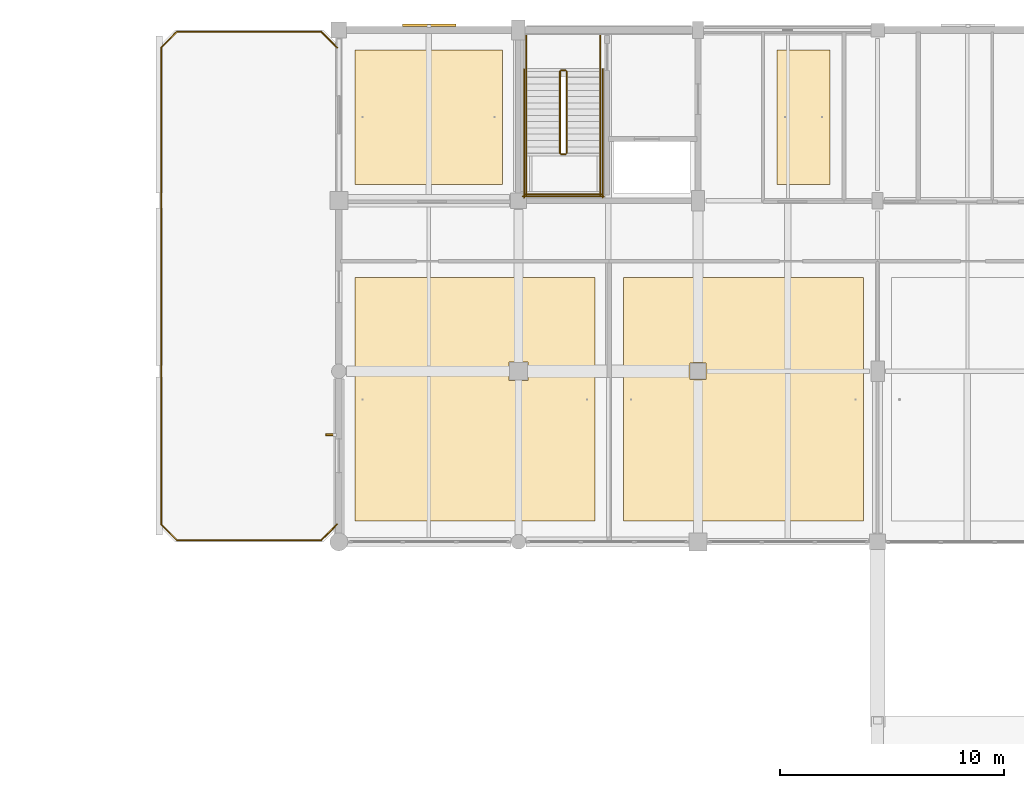
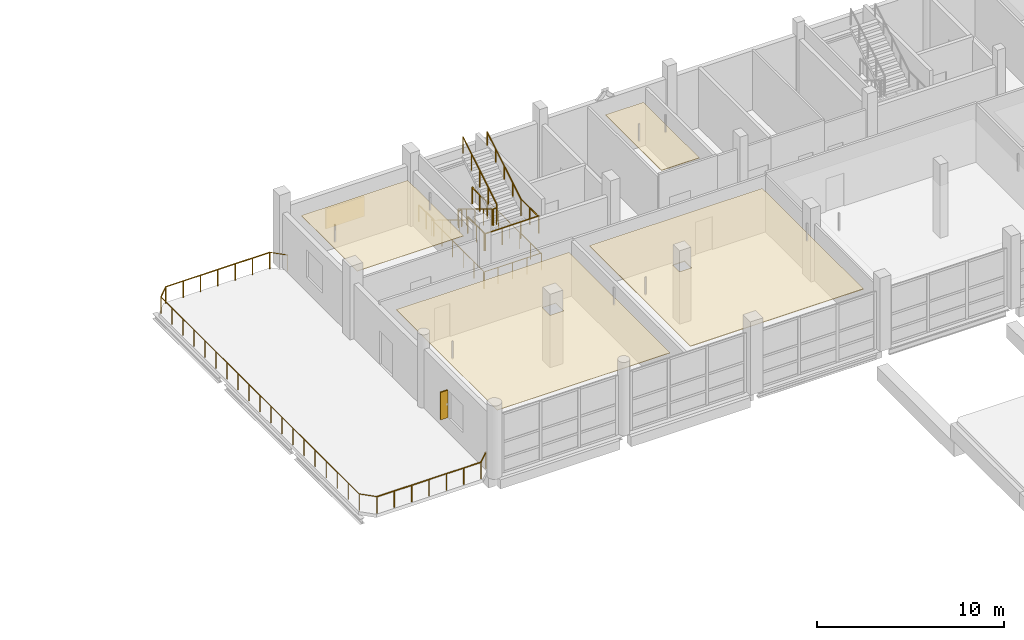
# One storey, part 106 of 107: 21 railings, 4 coverings, 2 shading devices.
"""IFC4 building model written with IfcOpenShell, lengths in metres."""

from ifc_helpers import new_model, si_unit, direction, frame, origin, origin_2d, place, context, subcontext, project, spatial, polyline, rectangle, circle, outline, extrude, material, layer, layer_set, type_object, element, save


model = new_model("IFC4")

# Units and contexts
model_context = context("Model", 3, precision=1e-05, world=origin(), true_north=direction((0.0, 1.0)))
body_context = subcontext(model_context, "Body", "Model", "MODEL_VIEW")
ifc_project = project(units=[si_unit("LENGTHUNIT", "METRE"), si_unit("AREAUNIT", "SQUARE_METRE"), si_unit("VOLUMEUNIT", "CUBIC_METRE"), si_unit("PLANEANGLEUNIT", "RADIAN"), si_unit("MASSUNIT", "GRAM", prefix="KILO")], contexts=[model_context])

# Site, building, storey
site_placement = place(None, origin())
site = spatial("IfcSite", under=ifc_project, at=site_placement, CompositionType="ELEMENT")
building_placement = place(site_placement, origin())
building = spatial("IfcBuilding", under=site, at=building_placement, Name="Khelvaren Railside Concert Hall", CompositionType="ELEMENT")
storey_placement = place(building_placement, frame((0.0, 0.0, 15.0)))
storey = spatial("IfcBuildingStorey", under=building, at=storey_placement, Name="L03", CompositionType="ELEMENT", Elevation=15.0)

# Railings
ifc_material_1 = material(Name="Architectural stainless steel Grade 316", Category="steel")
railing_type_1 = type_object("IfcRailingType", Name="BAL77", PredefinedType="BALUSTRADE", material=ifc_material_1)
railing_1_placement = place(storey_placement, frame((128.780029296875, 91.280029296875, 0.0)))
element("IfcRailing", 1, at=railing_1_placement, inside=storey, type_object=railing_type_1, Name="Terrace Perimeter Balustrade V5-L03-S", PredefinedType="BALUSTRADE", context=body_context, shape_type="SweptSolid", body=[
    extrude(circle(Radius=0.02392578125, at=origin_2d()), frame((0.0, 0.0, 1.076171875), z_axis=(1.0, 0.0, 0.0), x_axis=(0.0, 1.0, 0.0)), (0.0, 0.0, 1.0), 6.43994140625),
    extrude(circle(Radius=0.02099609375, at=origin_2d()), origin(), (0.0, 0.0, 1.0), 1.052001953125),
    extrude(circle(Radius=0.02099609375, at=origin_2d()), frame((1.0732421875, 0.0, 0.0)), (0.0, 0.0, 1.0), 1.052001953125),
    extrude(circle(Radius=0.02099609375, at=origin_2d()), frame((2.146728515625, 0.0, 0.0)), (0.0, 0.0, 1.0), 1.052001953125),
    extrude(circle(Radius=0.02099609375, at=origin_2d()), frame((3.219970703125, 0.0, 0.0)), (0.0, 0.0, 1.0), 1.052001953125),
    extrude(circle(Radius=0.02099609375, at=origin_2d()), frame((4.293212890625, 0.0, 0.0)), (0.0, 0.0, 1.0), 1.052001953125),
    extrude(circle(Radius=0.02099609375, at=origin_2d()), frame((5.36669921875, 0.0, 0.0)), (0.0, 0.0, 1.0), 1.052001953125),
    extrude(circle(Radius=0.02099609375, at=origin_2d()), frame((6.43994140625, 0.0, 0.0)), (0.0, 0.0, 1.0), 1.052001953125),
])
railing_2_placement = place(storey_placement, frame((135.219970703125, 91.280029296875, 0.0)))
element("IfcRailing", 2, at=railing_2_placement, inside=storey, type_object=railing_type_1, Name="Terrace Perimeter Balustrade V5-L03-SE", PredefinedType="BALUSTRADE", context=body_context, shape_type="SweptSolid", body=[
    extrude(circle(Radius=0.02392578125, at=origin_2d()), frame((0.0, 0.0, 1.076171875), z_axis=(0.707106781187, 0.707106781187, 0.0), x_axis=(-0.707106781187, 0.707106781187, 0.0)), (0.0, 0.0, 1.0), 0.989990234375),
    extrude(circle(Radius=0.02099609375, at=origin_2d()), origin(), (0.0, 0.0, 1.0), 1.052001953125),
    extrude(circle(Radius=0.02099609375, at=origin_2d()), frame((0.699951171875, 0.699951171875, 0.0)), (0.0, 0.0, 1.0), 1.052001953125),
])
railing_3_placement = place(storey_placement, frame((135.919921875, 113.219970703125, 0.0)))
element("IfcRailing", 3, at=railing_3_placement, inside=storey, type_object=railing_type_1, Name="Terrace Perimeter Balustrade V5-L03-NE", PredefinedType="BALUSTRADE", context=body_context, shape_type="SweptSolid", body=[
    extrude(circle(Radius=0.02392578125, at=origin_2d()), frame((0.0, 0.0, 1.076171875), z_axis=(-0.707106781187, 0.707106781187, 0.0), x_axis=(-0.707106781187, -0.707106781187, 0.0)), (0.0, 0.0, 1.0), 0.989990234375),
    extrude(circle(Radius=0.02099609375, at=origin_2d()), origin(), (0.0, 0.0, 1.0), 1.052001953125),
    extrude(circle(Radius=0.02099609375, at=origin_2d()), frame((-0.699951171875, 0.699951171875, 0.0)), (0.0, 0.0, 1.0), 1.052001953125),
])
railing_4_placement = place(storey_placement, frame((135.219970703125, 113.919921875, 0.0)))
element("IfcRailing", 4, at=railing_4_placement, inside=storey, type_object=railing_type_1, Name="Terrace Perimeter Balustrade V5-L03-N", PredefinedType="BALUSTRADE", context=body_context, shape_type="SweptSolid", body=[
    extrude(circle(Radius=0.02392578125, at=origin_2d()), frame((0.0, 0.0, 1.076171875), z_axis=(-1.0, 0.0, 0.0), x_axis=(0.0, -1.0, 0.0)), (0.0, 0.0, 1.0), 6.43994140625),
    extrude(circle(Radius=0.02099609375, at=origin_2d()), origin(), (0.0, 0.0, 1.0), 1.052001953125),
    extrude(circle(Radius=0.02099609375, at=origin_2d()), frame((-1.0732421875, 0.0, 0.0)), (0.0, 0.0, 1.0), 1.052001953125),
    extrude(circle(Radius=0.02099609375, at=origin_2d()), frame((-2.146728515625, 0.0, 0.0)), (0.0, 0.0, 1.0), 1.052001953125),
    extrude(circle(Radius=0.02099609375, at=origin_2d()), frame((-3.219970703125, 0.0, 0.0)), (0.0, 0.0, 1.0), 1.052001953125),
    extrude(circle(Radius=0.02099609375, at=origin_2d()), frame((-4.293212890625, 0.0, 0.0)), (0.0, 0.0, 1.0), 1.052001953125),
    extrude(circle(Radius=0.02099609375, at=origin_2d()), frame((-5.36669921875, 0.0, 0.0)), (0.0, 0.0, 1.0), 1.052001953125),
    extrude(circle(Radius=0.02099609375, at=origin_2d()), frame((-6.43994140625, 0.0, 0.0)), (0.0, 0.0, 1.0), 1.052001953125),
])
railing_5_placement = place(storey_placement, frame((128.780029296875, 113.919921875, 0.0)))
element("IfcRailing", 5, at=railing_5_placement, inside=storey, type_object=railing_type_1, Name="Terrace Perimeter Balustrade V5-L03-NW", PredefinedType="BALUSTRADE", context=body_context, shape_type="SweptSolid", body=[
    extrude(circle(Radius=0.02392578125, at=origin_2d()), frame((0.0, 0.0, 1.076171875), z_axis=(-0.707106781187, -0.707106781187, 0.0), x_axis=(0.707106781187, -0.707106781187, 0.0)), (0.0, 0.0, 1.0), 0.989990234375),
    extrude(circle(Radius=0.02099609375, at=origin_2d()), origin(), (0.0, 0.0, 1.0), 1.052001953125),
    extrude(circle(Radius=0.02099609375, at=origin_2d()), frame((-0.699951171875, -0.699951171875, 0.0)), (0.0, 0.0, 1.0), 1.052001953125),
])
railing_6_placement = place(storey_placement, frame((128.080078125, 113.219970703125, 0.0)))
element("IfcRailing", 6, at=railing_6_placement, inside=storey, type_object=railing_type_1, Name="Terrace Perimeter Balustrade V5-L03-W", PredefinedType="BALUSTRADE", context=body_context, shape_type="SweptSolid", body=[
    extrude(circle(Radius=0.02392578125, at=origin_2d()), frame((0.0, 0.0, 1.076171875), z_axis=(0.0, -1.0, 0.0), x_axis=(1.0, 0.0, 0.0)), (0.0, 0.0, 1.0), 21.239990234375),
    extrude(circle(Radius=0.02099609375, at=origin_2d()), origin(), (0.0, 0.0, 1.0), 1.052001953125),
    extrude(circle(Radius=0.02099609375, at=origin_2d()), frame((0.0, -1.179931640625, 0.0)), (0.0, 0.0, 1.0), 1.052001953125),
    extrude(circle(Radius=0.02099609375, at=origin_2d()), frame((0.0, -2.360107421875, 0.0)), (0.0, 0.0, 1.0), 1.052001953125),
    extrude(circle(Radius=0.02099609375, at=origin_2d()), frame((0.0, -3.5400390625, 0.0)), (0.0, 0.0, 1.0), 1.052001953125),
    extrude(circle(Radius=0.02099609375, at=origin_2d()), frame((0.0, -4.719970703125, 0.0)), (0.0, 0.0, 1.0), 1.052001953125),
    extrude(circle(Radius=0.02099609375, at=origin_2d()), frame((0.0, -5.89990234375, 0.0)), (0.0, 0.0, 1.0), 1.052001953125),
    extrude(circle(Radius=0.02099609375, at=origin_2d()), frame((0.0, -7.080078125, 0.0)), (0.0, 0.0, 1.0), 1.052001953125),
    extrude(circle(Radius=0.02099609375, at=origin_2d()), frame((0.0, -8.260009765625, 0.0)), (0.0, 0.0, 1.0), 1.052001953125),
    extrude(circle(Radius=0.02099609375, at=origin_2d()), frame((0.0, -9.43994140625, 0.0)), (0.0, 0.0, 1.0), 1.052001953125),
    extrude(circle(Radius=0.02099609375, at=origin_2d()), frame((0.0, -10.6201171875, 0.0)), (0.0, 0.0, 1.0), 1.052001953125),
    extrude(circle(Radius=0.02099609375, at=origin_2d()), frame((0.0, -11.800048828125, 0.0)), (0.0, 0.0, 1.0), 1.052001953125),
    extrude(circle(Radius=0.02099609375, at=origin_2d()), frame((0.0, -12.97998046875, 0.0)), (0.0, 0.0, 1.0), 1.052001953125),
    extrude(circle(Radius=0.02099609375, at=origin_2d()), frame((0.0, -14.159912109375, 0.0)), (0.0, 0.0, 1.0), 1.052001953125),
    extrude(circle(Radius=0.02099609375, at=origin_2d()), frame((0.0, -15.340087890625, 0.0)), (0.0, 0.0, 1.0), 1.052001953125),
    extrude(circle(Radius=0.02099609375, at=origin_2d()), frame((0.0, -16.52001953125, 0.0)), (0.0, 0.0, 1.0), 1.052001953125),
    extrude(circle(Radius=0.02099609375, at=origin_2d()), frame((0.0, -17.699951171875, 0.0)), (0.0, 0.0, 1.0), 1.052001953125),
    extrude(circle(Radius=0.02099609375, at=origin_2d()), frame((0.0, -18.8798828125, 0.0)), (0.0, 0.0, 1.0), 1.052001953125),
    extrude(circle(Radius=0.02099609375, at=origin_2d()), frame((0.0, -20.06005859375, 0.0)), (0.0, 0.0, 1.0), 1.052001953125),
    extrude(circle(Radius=0.02099609375, at=origin_2d()), frame((0.0, -21.239990234375, 0.0)), (0.0, 0.0, 1.0), 1.052001953125),
])
railing_7_placement = place(storey_placement, frame((128.080078125, 91.97998046875, 0.0)))
element("IfcRailing", 7, at=railing_7_placement, inside=storey, type_object=railing_type_1, Name="Terrace Perimeter Balustrade V5-L03-SW", PredefinedType="BALUSTRADE", context=body_context, shape_type="SweptSolid", body=[
    extrude(circle(Radius=0.02392578125, at=origin_2d()), frame((0.0, 0.0, 1.076171875), z_axis=(0.707106781187, -0.707106781187, 0.0), x_axis=(0.707106781187, 0.707106781187, 0.0)), (0.0, 0.0, 1.0), 0.989990234375),
    extrude(circle(Radius=0.02099609375, at=origin_2d()), origin(), (0.0, 0.0, 1.0), 1.052001953125),
    extrude(circle(Radius=0.02099609375, at=origin_2d()), frame((0.699951171875, -0.699951171875, 0.0)), (0.0, 0.0, 1.0), 1.052001953125),
])

# Coverings
ifc_material_2 = material(Name="Mineral-wool acoustic baffle ceiling", Category="gypsum")
ifc_layer_1 = layer(ifc_material_2, 0.0400390625)
ifc_layer_set_1 = layer_set([ifc_layer_1], Name="Mineral-wool acoustic baffle ceiling")
covering_type_1 = type_object("IfcCoveringType", Name="CLG20", PredefinedType="CEILING", material=ifc_layer_set_1)
covering_1_placement = place(storey_placement, frame((0.0, 0.0, 3.409912109375)))
element("IfcCovering", 8, at=covering_1_placement, inside=storey, type_object=covering_type_1, Name="Suspended Acoustic Ceiling Conservatory Chamber Coaching Room 2", PredefinedType="CEILING", context=body_context, shape_type="SweptSolid", body=[
    extrude(outline(polyline([(148.669921875, 92.1298828125), (159.3701171875, 92.1298828125), (159.3701171875, 102.969970703125), (148.669921875, 102.969970703125), (148.669921875, 92.1298828125)]), holes=[polyline([(151.635009765625, 98.43505859375), (152.364990234375, 98.43505859375), (152.364990234375, 99.1650390625), (151.635009765625, 99.1650390625), (151.635009765625, 98.43505859375)])]), origin(), (0.0, 0.0, 1.0), 0.0400390625),
])
covering_2_placement = place(storey_placement, frame((0.0, 0.0, 3.409912109375)))
element("IfcCovering", 9, at=covering_2_placement, inside=storey, type_object=covering_type_1, Name="Suspended Acoustic Ceiling Backstage Linen Store L03", PredefinedType="CEILING", context=body_context, shape_type="SweptSolid", body=[
    extrude(outline(polyline([(155.530029296875, 107.1298828125), (157.8759765625, 107.1298828125), (157.8759765625, 113.1201171875), (155.530029296875, 113.1201171875), (155.530029296875, 107.1298828125)])), origin(), (0.0, 0.0, 1.0), 0.0400390625),
])
ifc_material_3 = material(Name="Micro-perforated timber acoustic ceiling", Category="wood")
ifc_layer_2 = layer(ifc_material_3, 0.030029296875)
ifc_layer_set_2 = layer_set([ifc_layer_2], Name="Micro-perforated timber acoustic ceiling")
covering_type_2 = type_object("IfcCoveringType", Name="CLG77", PredefinedType="CEILING", material=ifc_layer_set_2)
covering_3_placement = place(storey_placement, frame((0.0, 0.0, 3.419921875)))
element("IfcCovering", 10, at=covering_3_placement, inside=storey, type_object=covering_type_2, Name="Suspended Acoustic Ceiling Conservatory Chamber Coaching Room 1", PredefinedType="CEILING", context=body_context, shape_type="SweptSolid", body=[
    extrude(outline(polyline([(136.7099609375, 92.1298828125), (147.409912109375, 92.1298828125), (147.409912109375, 102.969970703125), (136.7099609375, 102.969970703125), (136.7099609375, 92.1298828125)]), holes=[polyline([(143.5849609375, 98.385009765625), (144.4150390625, 98.385009765625), (144.4150390625, 99.215087890625), (143.5849609375, 99.215087890625), (143.5849609375, 98.385009765625)])]), origin(), (0.0, 0.0, 1.0), 0.030029296875),
])
covering_4_placement = place(storey_placement, frame((0.0, 0.0, 3.419921875)))
element("IfcCovering", 11, at=covering_4_placement, inside=storey, type_object=covering_type_2, Name="Suspended Acoustic Ceiling Conservatory Faculty Study L03", PredefinedType="CEILING", context=body_context, shape_type="SweptSolid", body=[
    extrude(outline(polyline([(136.7099609375, 107.1298828125), (143.2900390625, 107.1298828125), (143.2900390625, 113.1201171875), (136.7099609375, 113.1201171875), (136.7099609375, 107.1298828125)])), origin(), (0.0, 0.0, 1.0), 0.030029296875),
])

# Railings
ifc_material_4 = material(Name="Painted architectural steel", Category="steel")
railing_type_2 = type_object("IfcRailingType", Name="GRD86", PredefinedType="GUARDRAIL", material=ifc_material_4)
railing_8_placement = place(storey_placement, frame((145.85009765625, 112.159912109375, 0.17138671875)))
element("IfcRailing", 12, at=railing_8_placement, inside=storey, type_object=railing_type_2, Name="L03 ST-09 stair guard 1", PredefinedType="GUARDRAIL", context=body_context, shape_type="SweptSolid", body=[
    extrude(circle(Radius=0.02392578125, at=origin_2d()), frame((0.0, 0.0, 1.076171875), z_axis=(0.0, -0.852850264322, 0.5221555579), x_axis=(1.0, 0.0, 0.0)), (0.0, 0.0, 1.0), 4.267822265625),
    extrude(circle(Radius=0.02099609375, at=origin_2d()), origin(), (0.0, 0.0, 1.0), 1.052001953125),
    extrude(circle(Radius=0.02099609375, at=origin_2d()), frame((0.0, -0.909912109375, 0.55712890625)), (0.0, 0.0, 1.0), 1.052001953125),
    extrude(circle(Radius=0.02099609375, at=origin_2d()), frame((0.0, -1.81982421875, 1.1142578125)), (0.0, 0.0, 1.0), 1.052001953125),
    extrude(circle(Radius=0.02099609375, at=origin_2d()), frame((0.0, -2.72998046875, 1.67138671875)), (0.0, 0.0, 1.0), 1.052001953125),
    extrude(circle(Radius=0.02099609375, at=origin_2d()), frame((0.0, -3.639892578125, 2.228515625)), (0.0, 0.0, 1.0), 1.052001953125),
])
railing_9_placement = place(storey_placement, frame((145.89990234375, 108.469970703125, 2.39990234375)))
element("IfcRailing", 13, at=railing_9_placement, inside=storey, type_object=railing_type_2, Name="L03 ST-09 stair guard 2", PredefinedType="GUARDRAIL", context=body_context, shape_type="SweptSolid", body=[
    extrude(circle(Radius=0.02392578125, at=origin_2d()), frame((0.0, 0.0, 1.076171875), z_axis=(1.0, 0.0, 0.0), x_axis=(0.0, 1.0, 0.0)), (0.0, 0.0, 1.0), 0.2001953125),
    extrude(circle(Radius=0.02099609375, at=origin_2d()), origin(), (0.0, 0.0, 1.0), 1.052001953125),
    extrude(circle(Radius=0.02099609375, at=origin_2d()), frame((0.2001953125, 0.0, 0.0)), (0.0, 0.0, 1.0), 1.052001953125),
])
for number, where, name in (
    (14, (144.35009765625, 108.52001953125, 2.39990234375), "L03 ST-09 stair guard 3"),
    (15, (147.64990234375, 108.52001953125, 2.39990234375), "L03 ST-09 stair guard 4"),
):
    element("IfcRailing", number, at=place(storey_placement, frame(where)), inside=storey, type_object=railing_type_2, Name=name, PredefinedType="GUARDRAIL", context=body_context, shape_type="SweptSolid", body=[
        extrude(circle(Radius=0.02392578125, at=origin_2d()), frame((0.0, 0.0, 1.076171875), z_axis=(0.0, -1.0, 0.0), x_axis=(1.0, 0.0, 0.0)), (0.0, 0.0, 1.0), 1.880126953125),
        extrude(circle(Radius=0.02099609375, at=origin_2d()), origin(), (0.0, 0.0, 1.0), 1.052001953125),
        extrude(circle(Radius=0.02099609375, at=origin_2d()), frame((0.0, -0.93994140625, 0.0)), (0.0, 0.0, 1.0), 1.052001953125),
        extrude(circle(Radius=0.02099609375, at=origin_2d()), frame((0.0, -1.880126953125, 0.0)), (0.0, 0.0, 1.0), 1.052001953125),
    ])
railing_10_placement = place(storey_placement, frame((144.300048828125, 106.68994140625, 2.39990234375)))
element("IfcRailing", 16, at=railing_10_placement, inside=storey, type_object=railing_type_2, Name="L03 ST-09 stair guard 5", PredefinedType="GUARDRAIL", context=body_context, shape_type="SweptSolid", body=[
    extrude(circle(Radius=0.02392578125, at=origin_2d()), frame((0.0, 0.0, 1.076171875), z_axis=(1.0, 0.0, 0.0), x_axis=(0.0, 1.0, 0.0)), (0.0, 0.0, 1.0), 3.39990234375),
    extrude(circle(Radius=0.02099609375, at=origin_2d()), origin(), (0.0, 0.0, 1.0), 1.052001953125),
    extrude(circle(Radius=0.02099609375, at=origin_2d()), frame((1.13330078125, 0.0, 0.0)), (0.0, 0.0, 1.0), 1.052001953125),
    extrude(circle(Radius=0.02099609375, at=origin_2d()), frame((2.2666015625, 0.0, 0.0)), (0.0, 0.0, 1.0), 1.052001953125),
    extrude(circle(Radius=0.02099609375, at=origin_2d()), frame((3.39990234375, 0.0, 0.0)), (0.0, 0.0, 1.0), 1.052001953125),
])
railing_11_placement = place(storey_placement, frame((146.14990234375, 108.52001953125, 2.571533203125)))
element("IfcRailing", 17, at=railing_11_placement, inside=storey, type_object=railing_type_2, Name="L03 ST-09 stair guard 6", PredefinedType="GUARDRAIL", context=body_context, shape_type="SweptSolid", body=[
    extrude(circle(Radius=0.02392578125, at=origin_2d()), frame((0.0, 0.0, 1.076171875), z_axis=(0.0, 0.852850264322, 0.5221555579), x_axis=(-1.0, 0.0, 0.0)), (0.0, 0.0, 1.0), 4.267822265625),
    extrude(circle(Radius=0.02099609375, at=origin_2d()), origin(), (0.0, 0.0, 1.0), 1.052001953125),
    extrude(circle(Radius=0.02099609375, at=origin_2d()), frame((0.0, 0.909912109375, 0.55712890625)), (0.0, 0.0, 1.0), 1.052001953125),
    extrude(circle(Radius=0.02099609375, at=origin_2d()), frame((0.0, 1.81982421875, 1.1142578125)), (0.0, 0.0, 1.0), 1.052001953125),
    extrude(circle(Radius=0.02099609375, at=origin_2d()), frame((0.0, 2.72998046875, 1.67138671875)), (0.0, 0.0, 1.0), 1.052001953125),
    extrude(circle(Radius=0.02099609375, at=origin_2d()), frame((0.0, 3.639892578125, 2.228515625)), (0.0, 0.0, 1.0), 1.052001953125),
])
railing_12_placement = place(storey_placement, frame((145.89990234375, 112.2099609375, 0.0)))
element("IfcRailing", 18, at=railing_12_placement, inside=storey, type_object=railing_type_2, Name="L03 ST-09 stair guard 7", PredefinedType="GUARDRAIL", context=body_context, shape_type="SweptSolid", body=[
    extrude(circle(Radius=0.02392578125, at=origin_2d()), frame((0.0, 0.0, 1.076171875), z_axis=(1.0, 0.0, 0.0), x_axis=(0.0, 1.0, 0.0)), (0.0, 0.0, 1.0), 0.2001953125),
    extrude(circle(Radius=0.02099609375, at=origin_2d()), origin(), (0.0, 0.0, 1.0), 1.052001953125),
    extrude(circle(Radius=0.02099609375, at=origin_2d()), frame((0.2001953125, 0.0, 0.0)), (0.0, 0.0, 1.0), 1.052001953125),
])
for number, where, name in (
    (19, (144.35009765625, 113.760009765625, 0.0), "L03 ST-09 stair guard 8"),
    (20, (147.64990234375, 113.760009765625, 0.0), "L03 ST-09 stair guard 9"),
):
    element("IfcRailing", number, at=place(storey_placement, frame(where)), inside=storey, type_object=railing_type_2, Name=name, PredefinedType="GUARDRAIL", context=body_context, shape_type="SweptSolid", body=[
        extrude(circle(Radius=0.02392578125, at=origin_2d()), frame((0.0, 0.0, 1.076171875), z_axis=(0.0, -1.0, 0.0), x_axis=(1.0, 0.0, 0.0)), (0.0, 0.0, 1.0), 1.60009765625),
        extrude(circle(Radius=0.02099609375, at=origin_2d()), origin(), (0.0, 0.0, 1.0), 1.052001953125),
        extrude(circle(Radius=0.02099609375, at=origin_2d()), frame((0.0, -0.800048828125, 0.0)), (0.0, 0.0, 1.0), 1.052001953125),
        extrude(circle(Radius=0.02099609375, at=origin_2d()), frame((0.0, -1.60009765625, 0.0)), (0.0, 0.0, 1.0), 1.052001953125),
    ])
for number, where, name in (
    (21, (144.25, 112.260009765625, 0.0), "L03 ST-09 stair guard 10"),
    (22, (147.75, 112.260009765625, 0.0), "L03 ST-09 stair guard 11"),
):
    element("IfcRailing", number, at=place(storey_placement, frame(where)), inside=storey, type_object=railing_type_2, Name=name, PredefinedType="GUARDRAIL", context=body_context, shape_type="SweptSolid", body=[
        extrude(circle(Radius=0.02392578125, at=origin_2d()), frame((0.0, 0.0, 1.076171875), z_axis=(0.0, -1.0, 0.0), x_axis=(1.0, 0.0, 0.0)), (0.0, 0.0, 1.0), 5.719970703125),
        extrude(circle(Radius=0.02099609375, at=origin_2d()), origin(), (0.0, 0.0, 1.0), 1.052001953125),
        extrude(circle(Radius=0.02099609375, at=origin_2d()), frame((0.0, -1.14404296875, 0.0)), (0.0, 0.0, 1.0), 1.052001953125),
        extrude(circle(Radius=0.02099609375, at=origin_2d()), frame((0.0, -2.2880859375, 0.0)), (0.0, 0.0, 1.0), 1.052001953125),
        extrude(circle(Radius=0.02099609375, at=origin_2d()), frame((0.0, -3.431884765625, 0.0)), (0.0, 0.0, 1.0), 1.052001953125),
        extrude(circle(Radius=0.02099609375, at=origin_2d()), frame((0.0, -4.575927734375, 0.0)), (0.0, 0.0, 1.0), 1.052001953125),
        extrude(circle(Radius=0.02099609375, at=origin_2d()), frame((0.0, -5.719970703125, 0.0)), (0.0, 0.0, 1.0), 1.052001953125),
    ])
railing_13_placement = place(storey_placement, frame((144.199951171875, 106.590087890625, 0.0)))
element("IfcRailing", 23, at=railing_13_placement, inside=storey, type_object=railing_type_2, Name="L03 ST-09 stair guard 12", PredefinedType="GUARDRAIL", context=body_context, shape_type="SweptSolid", body=[
    extrude(circle(Radius=0.02392578125, at=origin_2d()), frame((0.0, 0.0, 1.076171875), z_axis=(1.0, 0.0, 0.0), x_axis=(0.0, 1.0, 0.0)), (0.0, 0.0, 1.0), 3.60009765625),
    extrude(circle(Radius=0.02099609375, at=origin_2d()), origin(), (0.0, 0.0, 1.0), 1.052001953125),
    extrude(circle(Radius=0.02099609375, at=origin_2d()), frame((0.89990234375, 0.0, 0.0)), (0.0, 0.0, 1.0), 1.052001953125),
    extrude(circle(Radius=0.02099609375, at=origin_2d()), frame((1.800048828125, 0.0, 0.0)), (0.0, 0.0, 1.0), 1.052001953125),
    extrude(circle(Radius=0.02099609375, at=origin_2d()), frame((2.7001953125, 0.0, 0.0)), (0.0, 0.0, 1.0), 1.052001953125),
    extrude(circle(Radius=0.02099609375, at=origin_2d()), frame((3.60009765625, 0.0, 0.0)), (0.0, 0.0, 1.0), 1.052001953125),
])
ifc_material_5 = material(Name="Brushed stainless steel Grade 316", Category="steel")
railing_type_3 = type_object("IfcRailingType", Name="HRL59", PredefinedType="HANDRAIL", material=ifc_material_5)
railing_14_placement = place(storey_placement, frame((144.35009765625, 112.159912109375, 0.17138671875)))
element("IfcRailing", 24, at=railing_14_placement, inside=storey, type_object=railing_type_3, Name="L03 ST-09 stair handrail 1", PredefinedType="HANDRAIL", context=body_context, shape_type="SweptSolid", body=[
    extrude(circle(Radius=0.02392578125, at=origin_2d()), frame((0.0, 0.0, 0.8759765625), z_axis=(0.0, -0.852850264322, 0.5221555579), x_axis=(1.0, 0.0, 0.0)), (0.0, 0.0, 1.0), 4.267822265625),
    extrude(circle(Radius=0.02099609375, at=origin_2d()), origin(), (0.0, 0.0, 1.0), 0.851806640625),
    extrude(circle(Radius=0.02099609375, at=origin_2d()), frame((0.0, -0.909912109375, 0.55712890625)), (0.0, 0.0, 1.0), 0.851806640625),
    extrude(circle(Radius=0.02099609375, at=origin_2d()), frame((0.0, -1.81982421875, 1.1142578125)), (0.0, 0.0, 1.0), 0.851806640625),
    extrude(circle(Radius=0.02099609375, at=origin_2d()), frame((0.0, -2.72998046875, 1.67138671875)), (0.0, 0.0, 1.0), 0.851806640625),
    extrude(circle(Radius=0.02099609375, at=origin_2d()), frame((0.0, -3.639892578125, 2.228515625)), (0.0, 0.0, 1.0), 0.851806640625),
])
railing_15_placement = place(storey_placement, frame((147.64990234375, 108.52001953125, 2.571533203125)))
element("IfcRailing", 25, at=railing_15_placement, inside=storey, type_object=railing_type_3, Name="L03 ST-09 stair handrail 2", PredefinedType="HANDRAIL", context=body_context, shape_type="SweptSolid", body=[
    extrude(circle(Radius=0.02392578125, at=origin_2d()), frame((0.0, 0.0, 0.8759765625), z_axis=(0.0, 0.852850264322, 0.5221555579), x_axis=(-1.0, 0.0, 0.0)), (0.0, 0.0, 1.0), 4.267822265625),
    extrude(circle(Radius=0.02099609375, at=origin_2d()), origin(), (0.0, 0.0, 1.0), 0.851806640625),
    extrude(circle(Radius=0.02099609375, at=origin_2d()), frame((0.0, 0.909912109375, 0.55712890625)), (0.0, 0.0, 1.0), 0.851806640625),
    extrude(circle(Radius=0.02099609375, at=origin_2d()), frame((0.0, 1.81982421875, 1.1142578125)), (0.0, 0.0, 1.0), 0.851806640625),
    extrude(circle(Radius=0.02099609375, at=origin_2d()), frame((0.0, 2.72998046875, 1.67138671875)), (0.0, 0.0, 1.0), 0.851806640625),
    extrude(circle(Radius=0.02099609375, at=origin_2d()), frame((0.0, 3.639892578125, 2.228515625)), (0.0, 0.0, 1.0), 0.851806640625),
])

# Shading devices
ifc_material_6 = material(Name="Anodised bronze aluminium 6063-T6", Category="aluminium")
shading_device_type_1 = type_object("IfcShadingDeviceType", Name="LVR71", PredefinedType="JALOUSIE", material=ifc_material_6)
shading_device_1_placement = place(storey_placement, frame((140.02490234375, 114.2099609375, 1.2001953125), z_axis=(0.0, 0.0, 1.0), x_axis=(1.0, 0.0, 0.0)))
element("IfcShadingDevice", 26, at=shading_device_1_placement, inside=storey, type_object=shading_device_type_1, Name="Acoustic Weather Louvre EW-V5-L03-N-136", PredefinedType="JALOUSIE", context=body_context, shape_type="SweptSolid", body=[
    extrude(rectangle(XDim=2.39990234375, YDim=0.1201171875, at=origin_2d()), origin(), (0.0, 0.0, 1.0), 1.300048828125),
])
shading_device_type_2 = type_object("IfcShadingDeviceType", Name="SFN18", PredefinedType="USERDEFINED", material=ifc_material_6)
shading_device_2_placement = place(storey_placement, frame((135.6298828125, 95.967529296875, 0.9501953125), z_axis=(0.0, 0.0, 1.0), x_axis=(0.0, 1.0, 0.0)))
element("IfcShadingDevice", 27, at=shading_device_2_placement, inside=storey, type_object=shading_device_type_2, Name="Bronze Solar Shading Fin EW-V5-L03-W-91", ObjectType="SOLAR FIN", PredefinedType="USERDEFINED", context=body_context, shape_type="SweptSolid", body=[
    extrude(rectangle(XDim=0.080078125, YDim=0.449951171875, at=origin_2d()), origin(), (0.0, 0.0, 1.0), 1.800048828125),
])

save(model, "model.ifc")
